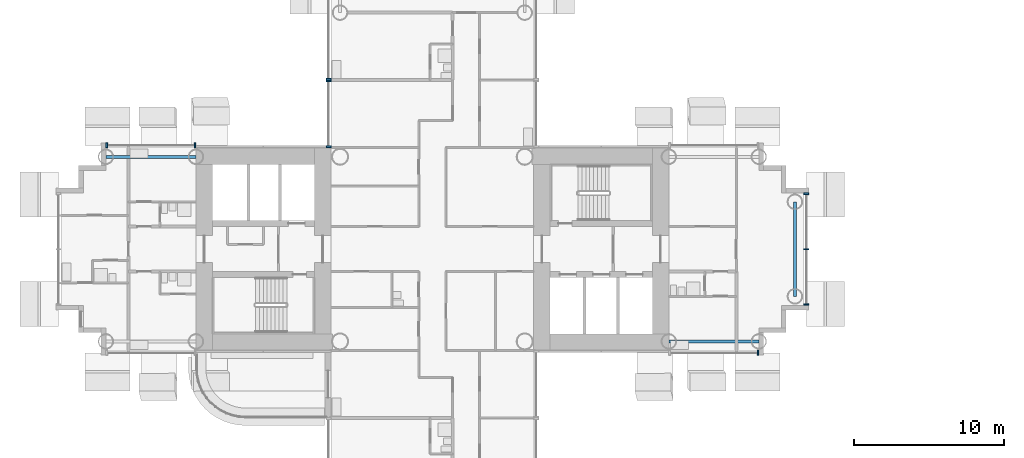
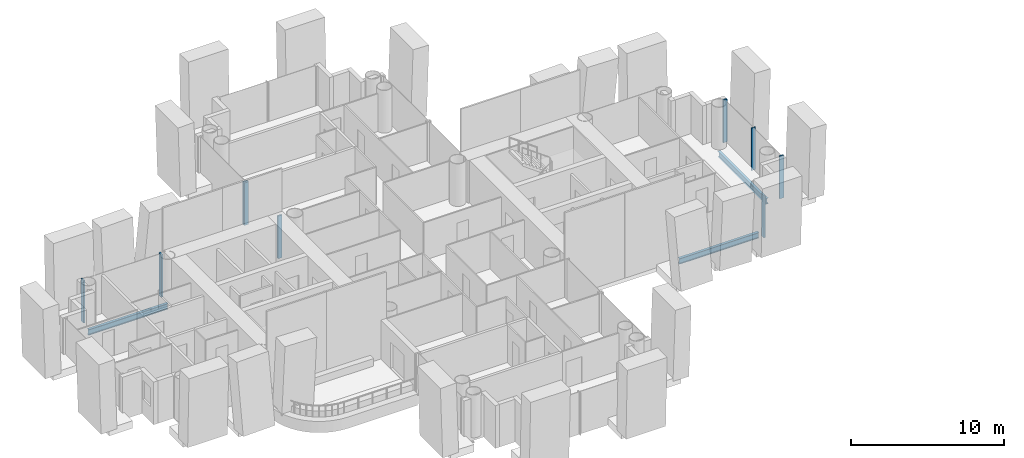
# One storey, part 4 of 25: 9 members, 3 beams, 5 elements without a shape of their own.
"""IFC4 building model written with IfcOpenShell, lengths in metres."""

from ifc_helpers import new_model, si_unit, direction, frame, origin, origin_2d, place, context, subcontext, project, spatial, rectangle, i_section, extrude, material, layer, layer_set, material_profile, profile_set, type_object, element, aggregate, save


model = new_model("IFC4")

# Units and contexts
model_context = context("Model", 3, precision=1e-05, world=origin(), true_north=direction((0.0, 1.0)))
body_context = subcontext(model_context, "Body", "Model", "MODEL_VIEW")
ifc_project = project(units=[si_unit("LENGTHUNIT", "METRE"), si_unit("AREAUNIT", "SQUARE_METRE"), si_unit("VOLUMEUNIT", "CUBIC_METRE"), si_unit("PLANEANGLEUNIT", "RADIAN"), si_unit("MASSUNIT", "GRAM", prefix="KILO")], contexts=[model_context])

# Site, building, storey
site_placement = place(None, origin())
site = spatial("IfcSite", under=ifc_project, at=site_placement, CompositionType="ELEMENT")
building_placement = place(site_placement, origin())
building = spatial("IfcBuilding", under=site, at=building_placement, Name="Ipe Terrace Towers", CompositionType="ELEMENT")
storey_placement = place(building_placement, frame((0.0, 0.0, 65.300048828125)))
storey = spatial("IfcBuildingStorey", under=building, at=storey_placement, Name="L17", CompositionType="ELEMENT", Elevation=65.300048828125)

# Beams
ifc_material_1 = material(Name="Steel S355", Category="steel")
ifc_material_profile_1 = material_profile(ifc_material_1, i_section(OverallWidth=0.199951171875, OverallDepth=0.449951171875, WebThickness=0.009033203125, FlangeThickness=0.013916015625, at=origin_2d()), Name="H-450x200x9x14")
ifc_profile_set_1 = profile_set([ifc_material_profile_1], Name="Steel S355")
beam_type = type_object("IfcBeamType", Name="H08 EDGE BEAM H-450x200x9x14", PredefinedType="BEAM", material=ifc_profile_set_1)
beam_1_placement = place(storey_placement, frame((-20.25, -6.14990234375, -0.625), z_axis=(1.0, 0.0, 0.0), x_axis=(0.0, 1.0, 0.0)))
element("IfcBeam", 1, at=beam_1_placement, inside=storey, type_object=beam_type, Name="Edge beam T1-EB-A01-A03", PredefinedType="BEAM", context=body_context, shape_type="SweptSolid", body=[
    extrude(i_section(OverallWidth=0.199951171875, OverallDepth=0.449951171875, WebThickness=0.009033203125, FlangeThickness=0.013916015625, at=origin_2d()), origin(), (0.0, 0.0, 1.0), 6.0),
])
beam_2_placement = place(storey_placement, frame((-11.85009765625, -3.14990234375, -0.625), z_axis=(0.0, 1.0, 0.0), x_axis=(-1.0, 0.0, 0.0)))
element("IfcBeam", 2, at=beam_2_placement, inside=storey, type_object=beam_type, Name="Edge beam T1-EB-A05-A06", PredefinedType="BEAM", context=body_context, shape_type="SweptSolid", body=[
    extrude(i_section(OverallWidth=0.199951171875, OverallDepth=0.449951171875, WebThickness=0.009033203125, FlangeThickness=0.013916015625, at=origin_2d()), origin(), (0.0, 0.0, 1.0), 6.2998046875),
])
beam_3_placement = place(storey_placement, frame((-51.75, 6.14990234375, -0.625), z_axis=(-1.0, 0.0, 0.0), x_axis=(0.0, -1.0, 0.0)))
element("IfcBeam", 3, at=beam_3_placement, inside=storey, type_object=beam_type, Name="Edge beam T1-EB-C02-C04", PredefinedType="BEAM", context=body_context, shape_type="SweptSolid", body=[
    extrude(i_section(OverallWidth=0.199951171875, OverallDepth=0.449951171875, WebThickness=0.009033203125, FlangeThickness=0.013916015625, at=origin_2d()), origin(), (0.0, 0.0, 1.0), 6.0),
])

# Curtain wall, member
ifc_material_2 = material(Name="Aluminium alloy 6063-T6", Category="aluminium")
ifc_layer = layer(ifc_material_2, 0.320068359375)
ifc_layer_set = layer_set([ifc_layer], Name="TOWER UNITISED CURTAIN WALL")
curtain_wall_type = type_object("IfcCurtainWallType", Name="TOWER UNITISED CURTAIN WALL", PredefinedType="NOTDEFINED", material=ifc_layer_set)
curtain_wall_1_placement = place(storey_placement, origin())
curtain_wall_1 = element("IfcCurtainWall", 4, at=curtain_wall_1_placement, inside=storey, type_object=curtain_wall_type, Name="T1-CW-L17-20b curtain wall", PredefinedType="NOTDEFINED")
ifc_material_3 = material(Name="Aluminium alloy 6063-T6", Category="aluminium")
ifc_material_profile_2 = material_profile(ifc_material_3, rectangle(XDim=0.320068359375, YDim=0.1201171875, at=origin_2d()), Name="TOWER UNITISED CORNER MULLION 320 x 120")
ifc_profile_set_2 = profile_set([ifc_material_profile_2], Name="Aluminium alloy 6063-T6")
member_type_1 = type_object("IfcMemberType", Name="TOWER UNITISED CORNER MULLION 320 x 120", PredefinedType="MULLION", material=ifc_profile_set_2)
member_1_placement = place(storey_placement, frame((-14.31005859375, -6.909912109375, -0.300048828125), z_axis=(0.0, 0.0, 1.0), x_axis=(0.0, -1.0, 0.0)))
member_1 = element("IfcMember", 5, at=member_1_placement, type_object=member_type_1, Name="T1-CW-L17-20b mullion 2", PredefinedType="MULLION", context=body_context, shape_type="SweptSolid", body=[
    extrude(rectangle(XDim=0.320068359375, YDim=0.1201171875, at=origin_2d()), origin(), (0.0, 0.0, 1.0), 3.39990234375),
])
aggregate(curtain_wall_1, [member_1])

# Curtain wall, members
curtain_wall_2_placement = place(storey_placement, origin())
curtain_wall_2 = element("IfcCurtainWall", 6, at=curtain_wall_2_placement, inside=storey, type_object=curtain_wall_type, Name="T1-CW-L17-25a curtain wall", PredefinedType="NOTDEFINED")
member_2_placement = place(storey_placement, frame((-11.090087890625, -3.68994140625, -0.300048828125), z_axis=(0.0, 0.0, 1.0), x_axis=(1.0, 0.0, 0.0)))
member_2 = element("IfcMember", 7, at=member_2_placement, type_object=member_type_1, Name="T1-CW-L17-25a mullion 1", PredefinedType="MULLION", context=body_context, shape_type="SweptSolid", body=[
    extrude(rectangle(XDim=0.320068359375, YDim=0.1201171875, at=origin_2d()), origin(), (0.0, 0.0, 1.0), 3.39990234375),
])
member_3_placement = place(storey_placement, frame((-11.090087890625, 3.68994140625, -0.300048828125), z_axis=(0.0, 0.0, 1.0), x_axis=(1.0, 0.0, 0.0)))
member_3 = element("IfcMember", 8, at=member_3_placement, type_object=member_type_1, Name="T1-CW-L17-25a mullion 3", PredefinedType="MULLION", context=body_context, shape_type="SweptSolid", body=[
    extrude(rectangle(XDim=0.320068359375, YDim=0.1201171875, at=origin_2d()), origin(), (0.0, 0.0, 1.0), 3.39990234375),
])

# Curtain wall, member
curtain_wall_3_placement = place(storey_placement, origin())
curtain_wall_3 = element("IfcCurtainWall", 9, at=curtain_wall_3_placement, inside=storey, type_object=curtain_wall_type, Name="T1-CW-L17-43a curtain wall", PredefinedType="NOTDEFINED")
member_4_placement = place(storey_placement, frame((-42.909912109375, 11.31005859375, -0.300048828125), z_axis=(0.0, 0.0, 1.0), x_axis=(-1.0, 0.0, 0.0)))
member_4 = element("IfcMember", 10, at=member_4_placement, type_object=member_type_1, Name="T1-CW-L17-43a mullion 2", PredefinedType="MULLION", context=body_context, shape_type="SweptSolid", body=[
    extrude(rectangle(XDim=0.320068359375, YDim=0.1201171875, at=origin_2d()), origin(), (0.0, 0.0, 1.0), 3.39990234375),
])
aggregate(curtain_wall_3, [member_4])

# Curtain wall, members
curtain_wall_4_placement = place(storey_placement, origin())
curtain_wall_4 = element("IfcCurtainWall", 11, at=curtain_wall_4_placement, inside=storey, type_object=curtain_wall_type, Name="T1-CW-L17-44a curtain wall", PredefinedType="NOTDEFINED")
member_5_placement = place(storey_placement, frame((-42.909912109375, 11.18994140625, -0.300048828125), z_axis=(0.0, 0.0, 1.0), x_axis=(-1.0, 0.0, 0.0)))
member_5 = element("IfcMember", 12, at=member_5_placement, type_object=member_type_1, Name="T1-CW-L17-44a mullion 1", PredefinedType="MULLION", context=body_context, shape_type="SweptSolid", body=[
    extrude(rectangle(XDim=0.320068359375, YDim=0.1201171875, at=origin_2d()), origin(), (0.0, 0.0, 1.0), 3.39990234375),
])
member_6_placement = place(storey_placement, frame((-42.909912109375, 6.81005859375, -0.300048828125), z_axis=(0.0, 0.0, 1.0), x_axis=(-1.0, 0.0, 0.0)))
member_6 = element("IfcMember", 13, at=member_6_placement, type_object=member_type_1, Name="T1-CW-L17-44a mullion 2", PredefinedType="MULLION", context=body_context, shape_type="SweptSolid", body=[
    extrude(rectangle(XDim=0.320068359375, YDim=0.1201171875, at=origin_2d()), origin(), (0.0, 0.0, 1.0), 3.39990234375),
])
aggregate(curtain_wall_4, [member_5, member_6])

curtain_wall_5_placement = place(storey_placement, origin())
curtain_wall_5 = element("IfcCurtainWall", 14, at=curtain_wall_5_placement, inside=storey, type_object=curtain_wall_type, Name="T1-CW-L17-46b curtain wall", PredefinedType="NOTDEFINED")
member_7_placement = place(storey_placement, frame((-51.81103515625, 6.909912109375, -0.300048828125), z_axis=(0.0, 0.0, 1.0), x_axis=(0.0, 1.0, 0.0)))
member_7 = element("IfcMember", 15, at=member_7_placement, type_object=member_type_1, Name="T1-CW-L17-46b mullion 1", PredefinedType="MULLION", context=body_context, shape_type="SweptSolid", body=[
    extrude(rectangle(XDim=0.320068359375, YDim=0.1201171875, at=origin_2d()), origin(), (0.0, 0.0, 1.0), 3.39990234375),
])
member_8_placement = place(storey_placement, frame((-57.68994140625, 6.909912109375, -0.300048828125), z_axis=(0.0, 0.0, 1.0), x_axis=(0.0, 1.0, 0.0)))
member_8 = element("IfcMember", 16, at=member_8_placement, type_object=member_type_1, Name="T1-CW-L17-46b mullion 2", PredefinedType="MULLION", context=body_context, shape_type="SweptSolid", body=[
    extrude(rectangle(XDim=0.320068359375, YDim=0.1201171875, at=origin_2d()), origin(), (0.0, 0.0, 1.0), 3.39990234375),
])
aggregate(curtain_wall_5, [member_7, member_8])

# Member
ifc_material_4 = material(Name="Aluminium alloy 6063-T6", Category="aluminium")
ifc_material_profile_3 = material_profile(ifc_material_4, rectangle(XDim=0.320068359375, YDim=0.06494140625, at=origin_2d()), Name="TOWER UNITISED MULLION 320 x 65")
ifc_profile_set_3 = profile_set([ifc_material_profile_3], Name="Aluminium alloy 6063-T6")
member_type_2 = type_object("IfcMemberType", Name="TOWER UNITISED MULLION 320 x 65", PredefinedType="MULLION", material=ifc_profile_set_3)
member_9_placement = place(storey_placement, frame((-11.090087890625, 0.0, -0.300048828125), z_axis=(0.0, 0.0, 1.0), x_axis=(1.0, 0.0, 0.0)))
member_9 = element("IfcMember", 17, at=member_9_placement, type_object=member_type_2, Name="T1-CW-L17-25a mullion 2", PredefinedType="MULLION", context=body_context, shape_type="SweptSolid", body=[
    extrude(rectangle(XDim=0.320068359375, YDim=0.06494140625, at=origin_2d()), origin(), (0.0, 0.0, 1.0), 3.39990234375),
])

aggregate(curtain_wall_2, [member_2, member_9, member_3])

save(model, "model.ifc")
